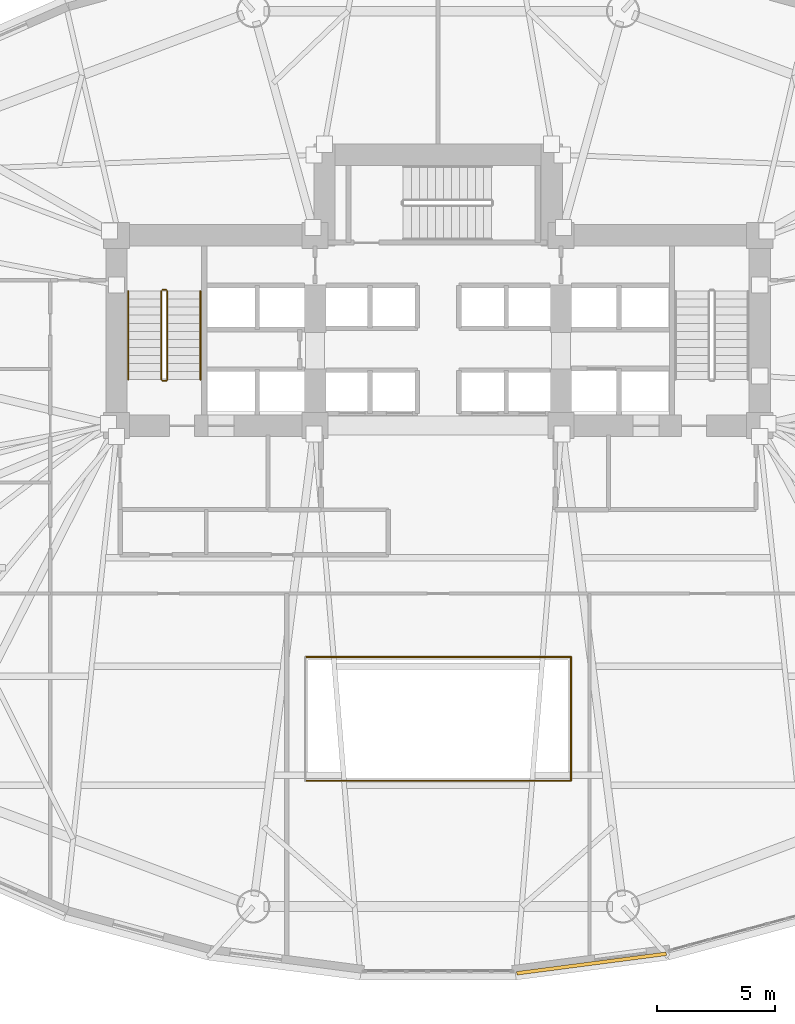
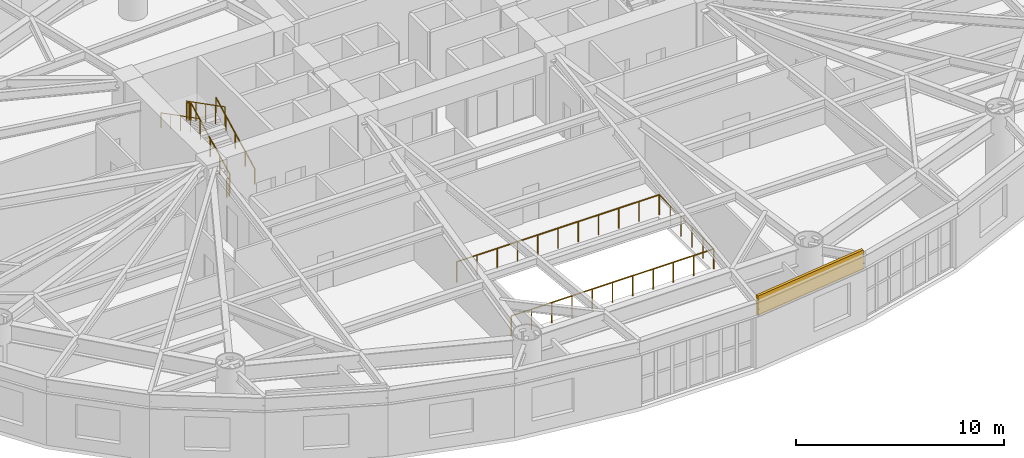
# One storey, part 15 of 19: 9 railings, 1 covering.
"""IFC4 building model written with IfcOpenShell, lengths in metres."""

from ifc_helpers import new_model, si_unit, direction, frame, origin, origin_2d, place, context, subcontext, project, spatial, rectangle, circle, extrude, material, layer, layer_set, type_object, element, save


model = new_model("IFC4")

# Units and contexts
model_context = context("Model", 3, precision=1e-05, world=origin(), true_north=direction((0.0, 1.0)))
body_context = subcontext(model_context, "Body", "Model", "MODEL_VIEW")
ifc_project = project(units=[si_unit("LENGTHUNIT", "METRE"), si_unit("AREAUNIT", "SQUARE_METRE"), si_unit("VOLUMEUNIT", "CUBIC_METRE"), si_unit("PLANEANGLEUNIT", "RADIAN"), si_unit("MASSUNIT", "GRAM", prefix="KILO")], contexts=[model_context])

# Site, building, storey
site_placement = place(None, origin())
site = spatial("IfcSite", under=ifc_project, at=site_placement, CompositionType="ELEMENT")
building_placement = place(site_placement, origin())
building = spatial("IfcBuilding", under=site, at=building_placement, Name="Keldmark Tower", CompositionType="ELEMENT")
storey_placement = place(building_placement, frame((0.0, 0.0, 10.199951171875)))
storey = spatial("IfcBuildingStorey", under=building, at=storey_placement, Name="L02", CompositionType="ELEMENT", Elevation=10.199951171875)

# Railings
ifc_material_1 = material(Name="Painted Architectural Metal and Laminated Safety Glass", Category="glass")
railing_type_1 = type_object("IfcRailingType", Name="Atrium Gallery Steel and Glass Balustrade 1200 mm", PredefinedType="BALUSTRADE", material=ifc_material_1)
railing_1_placement = place(storey_placement, frame((-5.6201171875, -13.6201171875, 0.0)))
element("IfcRailing", 1, at=railing_1_placement, inside=storey, type_object=railing_type_1, Name="L02 Atrium Gallery Guard S", PredefinedType="BALUSTRADE", context=body_context, shape_type="SweptSolid", body=[
    extrude(circle(Radius=0.02392578125, at=origin_2d()), frame((0.0, 0.0, 1.17578125), z_axis=(1.0, 0.0, 0.0), x_axis=(0.0, 1.0, 0.0)), (0.0, 0.0, 1.0), 11.240234375),
    extrude(circle(Radius=0.02099609375, at=origin_2d()), origin(), (0.0, 0.0, 1.0), 1.15185546875),
    extrude(circle(Radius=0.02099609375, at=origin_2d()), frame((1.1240234375, 0.0, 0.0)), (0.0, 0.0, 1.0), 1.15185546875),
    extrude(circle(Radius=0.02099609375, at=origin_2d()), frame((2.248046875, 0.0, 0.0)), (0.0, 0.0, 1.0), 1.15185546875),
    extrude(circle(Radius=0.02099609375, at=origin_2d()), frame((3.3720703125, 0.0, 0.0)), (0.0, 0.0, 1.0), 1.15185546875),
    extrude(circle(Radius=0.02099609375, at=origin_2d()), frame((4.49609375, 0.0, 0.0)), (0.0, 0.0, 1.0), 1.15185546875),
    extrude(circle(Radius=0.02099609375, at=origin_2d()), frame((5.6201171875, 0.0, 0.0)), (0.0, 0.0, 1.0), 1.15185546875),
    extrude(circle(Radius=0.02099609375, at=origin_2d()), frame((6.744140625, 0.0, 0.0)), (0.0, 0.0, 1.0), 1.15185546875),
    extrude(circle(Radius=0.02099609375, at=origin_2d()), frame((7.8681640625, 0.0, 0.0)), (0.0, 0.0, 1.0), 1.15185546875),
    extrude(circle(Radius=0.02099609375, at=origin_2d()), frame((8.9921875, 0.0, 0.0)), (0.0, 0.0, 1.0), 1.15185546875),
    extrude(circle(Radius=0.02099609375, at=origin_2d()), frame((10.1162109375, 0.0, 0.0)), (0.0, 0.0, 1.0), 1.15185546875),
    extrude(circle(Radius=0.02099609375, at=origin_2d()), frame((11.240234375, 0.0, 0.0)), (0.0, 0.0, 1.0), 1.15185546875),
])
railing_2_placement = place(storey_placement, frame((5.6201171875, -13.6201171875, 0.0)))
element("IfcRailing", 2, at=railing_2_placement, inside=storey, type_object=railing_type_1, Name="L02 Atrium Gallery Guard E", PredefinedType="BALUSTRADE", context=body_context, shape_type="SweptSolid", body=[
    extrude(circle(Radius=0.02392578125, at=origin_2d()), frame((0.0, 0.0, 1.17578125), z_axis=(0.0, 1.0, 0.0), x_axis=(-1.0, 0.0, 0.0)), (0.0, 0.0, 1.0), 5.240234375),
    extrude(circle(Radius=0.02099609375, at=origin_2d()), origin(), (0.0, 0.0, 1.0), 1.15185546875),
    extrude(circle(Radius=0.02099609375, at=origin_2d()), frame((0.0, 1.048095703125, 0.0)), (0.0, 0.0, 1.0), 1.15185546875),
    extrude(circle(Radius=0.02099609375, at=origin_2d()), frame((0.0, 2.09619140625, 0.0)), (0.0, 0.0, 1.0), 1.15185546875),
    extrude(circle(Radius=0.02099609375, at=origin_2d()), frame((0.0, 3.14404296875, 0.0)), (0.0, 0.0, 1.0), 1.15185546875),
    extrude(circle(Radius=0.02099609375, at=origin_2d()), frame((0.0, 4.192138671875, 0.0)), (0.0, 0.0, 1.0), 1.15185546875),
    extrude(circle(Radius=0.02099609375, at=origin_2d()), frame((0.0, 5.240234375, 0.0)), (0.0, 0.0, 1.0), 1.15185546875),
])
railing_3_placement = place(storey_placement, frame((5.6201171875, -8.3798828125, 0.0)))
element("IfcRailing", 3, at=railing_3_placement, inside=storey, type_object=railing_type_1, Name="L02 Atrium Gallery Guard N", PredefinedType="BALUSTRADE", context=body_context, shape_type="SweptSolid", body=[
    extrude(circle(Radius=0.02392578125, at=origin_2d()), frame((0.0, 0.0, 1.17578125), z_axis=(-1.0, 0.0, 0.0), x_axis=(0.0, -1.0, 0.0)), (0.0, 0.0, 1.0), 11.240234375),
    extrude(circle(Radius=0.02099609375, at=origin_2d()), origin(), (0.0, 0.0, 1.0), 1.15185546875),
    extrude(circle(Radius=0.02099609375, at=origin_2d()), frame((-1.1240234375, 0.0, 0.0)), (0.0, 0.0, 1.0), 1.15185546875),
    extrude(circle(Radius=0.02099609375, at=origin_2d()), frame((-2.248046875, 0.0, 0.0)), (0.0, 0.0, 1.0), 1.15185546875),
    extrude(circle(Radius=0.02099609375, at=origin_2d()), frame((-3.3720703125, 0.0, 0.0)), (0.0, 0.0, 1.0), 1.15185546875),
    extrude(circle(Radius=0.02099609375, at=origin_2d()), frame((-4.49609375, 0.0, 0.0)), (0.0, 0.0, 1.0), 1.15185546875),
    extrude(circle(Radius=0.02099609375, at=origin_2d()), frame((-5.6201171875, 0.0, 0.0)), (0.0, 0.0, 1.0), 1.15185546875),
    extrude(circle(Radius=0.02099609375, at=origin_2d()), frame((-6.744140625, 0.0, 0.0)), (0.0, 0.0, 1.0), 1.15185546875),
    extrude(circle(Radius=0.02099609375, at=origin_2d()), frame((-7.8681640625, 0.0, 0.0)), (0.0, 0.0, 1.0), 1.15185546875),
    extrude(circle(Radius=0.02099609375, at=origin_2d()), frame((-8.9921875, 0.0, 0.0)), (0.0, 0.0, 1.0), 1.15185546875),
    extrude(circle(Radius=0.02099609375, at=origin_2d()), frame((-10.1162109375, 0.0, 0.0)), (0.0, 0.0, 1.0), 1.15185546875),
    extrude(circle(Radius=0.02099609375, at=origin_2d()), frame((-11.240234375, 0.0, 0.0)), (0.0, 0.0, 1.0), 1.15185546875),
])

# Covering
ifc_material_2 = material(Name="Honed Kasota Buff Dolomitic Limestone", Category="masonry")
ifc_layer = layer(ifc_material_2, 0.074951171875)
ifc_layer_set = layer_set([ifc_layer], Name="Honed Kasota Buff Dolomitic Limestone")
covering_type = type_object("IfcCoveringType", Name="Kasota Buff Limestone Spandrel Cladding Band", PredefinedType="CLADDING", material=ifc_layer_set)
covering_placement = place(storey_placement, frame((6.487060546875, -21.344482421875, 3.032958984375), z_axis=(0.0, 0.0, 1.0), x_axis=(0.991574223108, 0.129539801092, 0.0)))
element("IfcCovering", 4, at=covering_placement, inside=storey, type_object=covering_type, Name="L02 Kasota Limestone Spandrel Band 25", PredefinedType="CLADDING", context=body_context, shape_type="SweptSolid", body=[
    extrude(rectangle(XDim=6.37548828125, YDim=0.14990234375, at=origin_2d()), origin(), (0.0, 0.0, 1.0), 1.14697265625),
])

# Railings
ifc_material_3 = material(Name="Painted Steel ASTM A500 Grade B", Category="steel")
railing_type_2 = type_object("IfcRailingType", Name="Painted Steel Stair Well Guard 1100 mm", PredefinedType="GUARDRAIL", material=ifc_material_3)
railing_4_placement = place(storey_placement, frame((-11.449951171875, 3.35009765625, 0.175048828125)))
element("IfcRailing", 5, at=railing_4_placement, inside=storey, type_object=railing_type_2, Name="L02 ST1 stair guard 1", PredefinedType="GUARDRAIL", context=body_context, shape_type="SweptSolid", body=[
    extrude(circle(Radius=0.02392578125, at=origin_2d()), frame((0.0, 0.0, 1.076171875), z_axis=(0.0, 0.889130600629, 0.457653553493), x_axis=(-1.0, 0.0, 0.0)), (0.0, 0.0, 1.0), 4.206298828125),
    extrude(circle(Radius=0.02099609375, at=origin_2d()), origin(), (0.0, 0.0, 1.0), 1.052001953125),
    extrude(circle(Radius=0.02099609375, at=origin_2d()), frame((0.0, 0.93505859375, 0.481201171875)), (0.0, 0.0, 1.0), 1.052001953125),
    extrude(circle(Radius=0.02099609375, at=origin_2d()), frame((0.0, 1.8701171875, 0.96240234375)), (0.0, 0.0, 1.0), 1.052001953125),
    extrude(circle(Radius=0.02099609375, at=origin_2d()), frame((0.0, 2.804931640625, 1.44384765625)), (0.0, 0.0, 1.0), 1.052001953125),
    extrude(circle(Radius=0.02099609375, at=origin_2d()), frame((0.0, 3.739990234375, 1.925048828125)), (0.0, 0.0, 1.0), 1.052001953125),
])
railing_5_placement = place(storey_placement, frame((-11.5, 7.139892578125, 2.10009765625)))
element("IfcRailing", 6, at=railing_5_placement, inside=storey, type_object=railing_type_2, Name="L02 ST1 stair guard 2", PredefinedType="GUARDRAIL", context=body_context, shape_type="SweptSolid", body=[
    extrude(circle(Radius=0.02392578125, at=origin_2d()), frame((0.0, 0.0, 1.076171875), z_axis=(-1.0, 0.0, 0.0), x_axis=(0.0, -1.0, 0.0)), (0.0, 0.0, 1.0), 0.14990234375),
    extrude(circle(Radius=0.02099609375, at=origin_2d()), origin(), (0.0, 0.0, 1.0), 1.052001953125),
    extrude(circle(Radius=0.02099609375, at=origin_2d()), frame((-0.14990234375, 0.0, 0.0)), (0.0, 0.0, 1.0), 1.052001953125),
])
railing_6_placement = place(storey_placement, frame((-11.699951171875, 7.090087890625, 2.275146484375)))
element("IfcRailing", 7, at=railing_6_placement, inside=storey, type_object=railing_type_2, Name="L02 ST1 stair guard 3", PredefinedType="GUARDRAIL", context=body_context, shape_type="SweptSolid", body=[
    extrude(circle(Radius=0.02392578125, at=origin_2d()), frame((0.0, 0.0, 1.076171875), z_axis=(0.0, -0.889154217769, 0.457607667138), x_axis=(1.0, 0.0, 0.0)), (0.0, 0.0, 1.0), 4.206298828125),
    extrude(circle(Radius=0.02099609375, at=origin_2d()), origin(), (0.0, 0.0, 1.0), 1.052001953125),
    extrude(circle(Radius=0.02099609375, at=origin_2d()), frame((0.0, -0.93505859375, 0.481201171875)), (0.0, 0.0, 1.0), 1.052001953125),
    extrude(circle(Radius=0.02099609375, at=origin_2d()), frame((0.0, -1.8701171875, 0.96240234375)), (0.0, 0.0, 1.0), 1.052001953125),
    extrude(circle(Radius=0.02099609375, at=origin_2d()), frame((0.0, -2.804931640625, 1.443603515625)), (0.0, 0.0, 1.0), 1.052001953125),
    extrude(circle(Radius=0.02099609375, at=origin_2d()), frame((0.0, -3.739990234375, 1.9248046875)), (0.0, 0.0, 1.0), 1.052001953125),
])
railing_7_placement = place(storey_placement, frame((-11.5, 3.300048828125, 0.0)))
element("IfcRailing", 8, at=railing_7_placement, inside=storey, type_object=railing_type_2, Name="L02 ST1 stair guard 4", PredefinedType="GUARDRAIL", context=body_context, shape_type="SweptSolid", body=[
    extrude(circle(Radius=0.02392578125, at=origin_2d()), frame((0.0, 0.0, 1.076171875), z_axis=(-1.0, 0.0, 0.0), x_axis=(0.0, -1.0, 0.0)), (0.0, 0.0, 1.0), 0.14990234375),
    extrude(circle(Radius=0.02099609375, at=origin_2d()), origin(), (0.0, 0.0, 1.0), 1.052001953125),
    extrude(circle(Radius=0.02099609375, at=origin_2d()), frame((-0.14990234375, 0.0, 0.0)), (0.0, 0.0, 1.0), 1.052001953125),
])
ifc_material_4 = material(Name="Stainless Steel AISI 316L", Category="steel")
railing_type_3 = type_object("IfcRailingType", Name="Stainless Steel Stair Handrail 900 mm", PredefinedType="HANDRAIL", material=ifc_material_4)
railing_8_placement = place(storey_placement, frame((-10.050048828125, 3.35009765625, 0.175048828125)))
element("IfcRailing", 9, at=railing_8_placement, inside=storey, type_object=railing_type_3, Name="L02 ST1 stair handrail 1", PredefinedType="HANDRAIL", context=body_context, shape_type="SweptSolid", body=[
    extrude(circle(Radius=0.02392578125, at=origin_2d()), frame((0.0, 0.0, 0.8759765625), z_axis=(0.0, 0.889130600629, 0.457653553493), x_axis=(-1.0, 0.0, 0.0)), (0.0, 0.0, 1.0), 4.206298828125),
    extrude(circle(Radius=0.02099609375, at=origin_2d()), origin(), (0.0, 0.0, 1.0), 0.851806640625),
    extrude(circle(Radius=0.02099609375, at=origin_2d()), frame((0.0, 0.93505859375, 0.481201171875)), (0.0, 0.0, 1.0), 0.851806640625),
    extrude(circle(Radius=0.02099609375, at=origin_2d()), frame((0.0, 1.8701171875, 0.96240234375)), (0.0, 0.0, 1.0), 0.851806640625),
    extrude(circle(Radius=0.02099609375, at=origin_2d()), frame((0.0, 2.804931640625, 1.44384765625)), (0.0, 0.0, 1.0), 0.851806640625),
    extrude(circle(Radius=0.02099609375, at=origin_2d()), frame((0.0, 3.739990234375, 1.925048828125)), (0.0, 0.0, 1.0), 0.851806640625),
])
railing_9_placement = place(storey_placement, frame((-13.10009765625, 7.090087890625, 2.275146484375)))
element("IfcRailing", 10, at=railing_9_placement, inside=storey, type_object=railing_type_3, Name="L02 ST1 stair handrail 2", PredefinedType="HANDRAIL", context=body_context, shape_type="SweptSolid", body=[
    extrude(circle(Radius=0.02392578125, at=origin_2d()), frame((0.0, 0.0, 0.8759765625), z_axis=(0.0, -0.889154217769, 0.457607667138), x_axis=(1.0, 0.0, 0.0)), (0.0, 0.0, 1.0), 4.206298828125),
    extrude(circle(Radius=0.02099609375, at=origin_2d()), origin(), (0.0, 0.0, 1.0), 0.851806640625),
    extrude(circle(Radius=0.02099609375, at=origin_2d()), frame((0.0, -0.93505859375, 0.481201171875)), (0.0, 0.0, 1.0), 0.851806640625),
    extrude(circle(Radius=0.02099609375, at=origin_2d()), frame((0.0, -1.8701171875, 0.96240234375)), (0.0, 0.0, 1.0), 0.851806640625),
    extrude(circle(Radius=0.02099609375, at=origin_2d()), frame((0.0, -2.804931640625, 1.443603515625)), (0.0, 0.0, 1.0), 0.851806640625),
    extrude(circle(Radius=0.02099609375, at=origin_2d()), frame((0.0, -3.739990234375, 1.9248046875)), (0.0, 0.0, 1.0), 0.851806640625),
])

save(model, "model.ifc")
